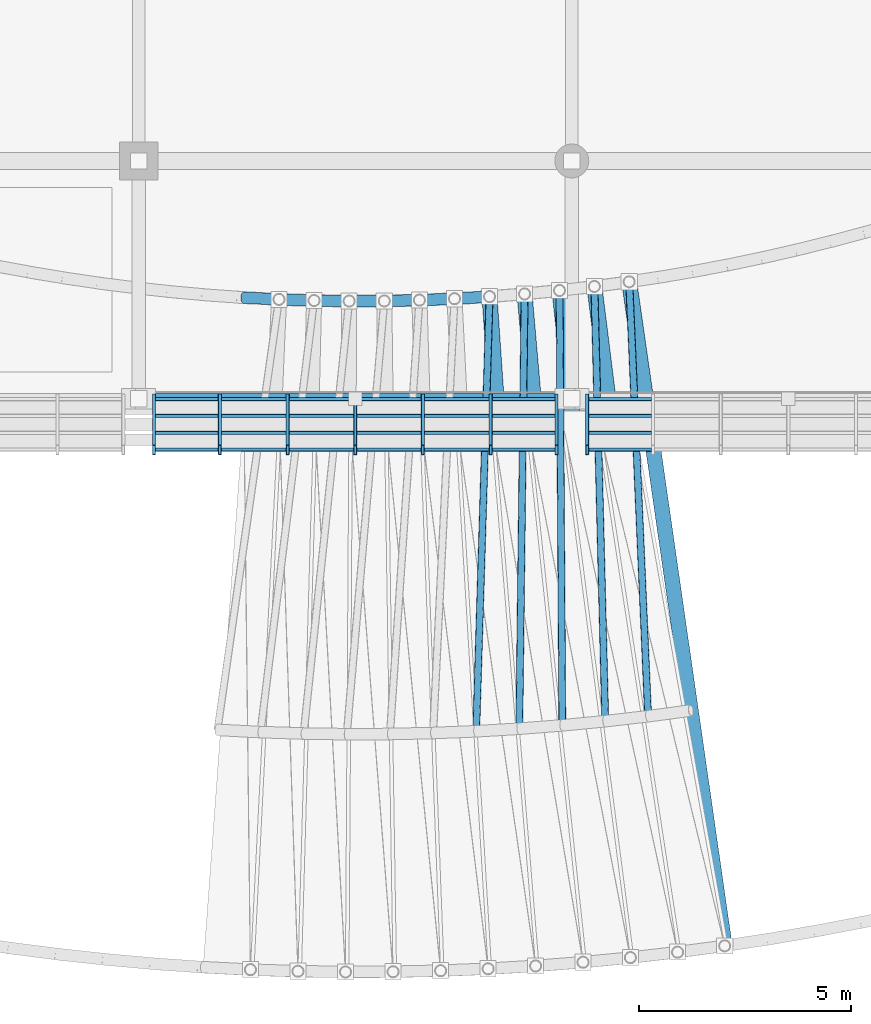
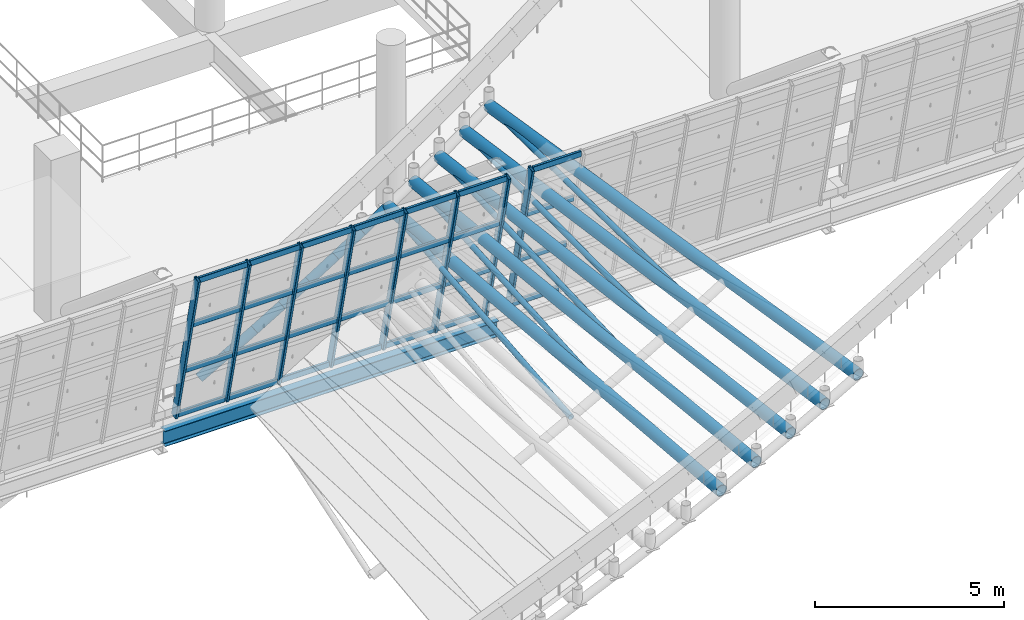
# One storey, part 45 of 175: 53 members, 1 beam, 2 elements without a shape of their own.
"""IFC4 building model written with IfcOpenShell, lengths in metres."""

from ifc_helpers import new_model, si_unit, direction, frame, origin, origin_2d, place, context, subcontext, project, spatial, hollow_rectangle, hollow_circle, i_section, extrude, material, material_profile, profile_set, type_object, element, aggregate, save


model = new_model("IFC4")

# Units and contexts
model_context = context("Model", 3, precision=1e-05, world=origin(), true_north=direction((0.0, 1.0)))
body_context = subcontext(model_context, "Body", "Model", "MODEL_VIEW")
ifc_project = project(units=[si_unit("LENGTHUNIT", "METRE"), si_unit("AREAUNIT", "SQUARE_METRE"), si_unit("VOLUMEUNIT", "CUBIC_METRE"), si_unit("PLANEANGLEUNIT", "RADIAN"), si_unit("MASSUNIT", "GRAM", prefix="KILO")], contexts=[model_context])

# Site, building, storey
site_placement = place(None, origin())
site = spatial("IfcSite", under=ifc_project, at=site_placement, CompositionType="ELEMENT")
building_placement = place(site_placement, origin())
building = spatial("IfcBuilding", under=site, at=building_placement, Name="Brelvane Convention Centre", CompositionType="ELEMENT")
storey_placement = place(building_placement, frame((0.0, 0.0, 5.39990234375)))
storey = spatial("IfcBuildingStorey", under=building, at=storey_placement, Name="L01", CompositionType="ELEMENT", Elevation=5.39990234375)

# Curtain wall, members
ifc_material_1 = material(Name="Anodised Aluminium Alloy 6063-T6", Category="aluminium")
curtain_wall_type = type_object("IfcCurtainWallType", Name="Curtain Wall CW-HULL-S", PredefinedType="USERDEFINED", material=ifc_material_1)
curtain_wall_1_placement = place(storey_placement, origin())
curtain_wall_1 = element("IfcCurtainWall", 1, at=curtain_wall_1_placement, inside=storey, type_object=curtain_wall_type, Name="Curtain Wall CW-HULL-S L01-HULL-S-L01-15", ObjectType="UNITISED", PredefinedType="USERDEFINED")
ifc_material_2 = material(Name="Anodised Aluminium Alloy 6063-T6", Category="aluminium")
ifc_material_profile_1 = material_profile(ifc_material_2, hollow_rectangle(XDim=0.080078125, YDim=0.239990234375, WallThickness=0.006103515625, InnerFilletRadius=0.006103515625, OuterFilletRadius=0.011962890625, at=origin_2d()), Name="ALU-M 240x80x6.0")
ifc_profile_set_1 = profile_set([ifc_material_profile_1], Name="Anodised Aluminium Alloy 6063-T6")
member_type_1 = type_object("IfcMemberType", Name="Curtain Mullion CW-M1", PredefinedType="MULLION", material=ifc_profile_set_1)
member_1_placement = place(storey_placement, frame((143.159912109375, 13.60009765625, 0.0), z_axis=(0.0, -0.228360162456, 0.973576723326), x_axis=(1.0, 0.0, 0.0)))
member_1 = element("IfcMember", 2, at=member_1_placement, type_object=member_type_1, Name="CW-HULL-S mullion 1", PredefinedType="MULLION", context=body_context, shape_type="SweptSolid", body=[
    extrude(hollow_rectangle(XDim=0.080078125, YDim=0.239990234375, WallThickness=0.006103515625, InnerFilletRadius=0.006103515625, OuterFilletRadius=0.011962890625, at=origin_2d()), origin(), (0.0, 0.0, 1.0), 5.2900390625),
])
member_2_placement = place(storey_placement, frame((144.71337890625, 13.60009765625, 0.0), z_axis=(0.0, -0.228360162456, 0.973576723326), x_axis=(1.0, 0.0, 0.0)))
member_2 = element("IfcMember", 3, at=member_2_placement, type_object=member_type_1, Name="CW-HULL-S mullion 2", PredefinedType="MULLION", context=body_context, shape_type="SweptSolid", body=[
    extrude(hollow_rectangle(XDim=0.080078125, YDim=0.239990234375, WallThickness=0.006103515625, InnerFilletRadius=0.006103515625, OuterFilletRadius=0.011962890625, at=origin_2d()), origin(), (0.0, 0.0, 1.0), 5.2900390625),
])
member_3_placement = place(storey_placement, frame((146.306640625, 13.60009765625, 0.0), z_axis=(0.0, -0.228360162456, 0.973576723326), x_axis=(1.0, 0.0, 0.0)))
member_3 = element("IfcMember", 4, at=member_3_placement, type_object=member_type_1, Name="CW-HULL-S mullion 3", PredefinedType="MULLION", context=body_context, shape_type="SweptSolid", body=[
    extrude(hollow_rectangle(XDim=0.080078125, YDim=0.239990234375, WallThickness=0.006103515625, InnerFilletRadius=0.006103515625, OuterFilletRadius=0.011962890625, at=origin_2d()), origin(), (0.0, 0.0, 1.0), 5.2900390625),
])
member_4_placement = place(storey_placement, frame((147.89990234375, 13.60009765625, 0.0), z_axis=(0.0, -0.228360162456, 0.973576723326), x_axis=(1.0, 0.0, 0.0)))
member_4 = element("IfcMember", 5, at=member_4_placement, type_object=member_type_1, Name="CW-HULL-S mullion 4", PredefinedType="MULLION", context=body_context, shape_type="SweptSolid", body=[
    extrude(hollow_rectangle(XDim=0.080078125, YDim=0.239990234375, WallThickness=0.006103515625, InnerFilletRadius=0.006103515625, OuterFilletRadius=0.011962890625, at=origin_2d()), origin(), (0.0, 0.0, 1.0), 5.2900390625),
])
member_5_placement = place(storey_placement, frame((149.493408203125, 13.60009765625, 0.0), z_axis=(0.0, -0.228360162456, 0.973576723326), x_axis=(1.0, 0.0, 0.0)))
member_5 = element("IfcMember", 6, at=member_5_placement, type_object=member_type_1, Name="CW-HULL-S mullion 5", PredefinedType="MULLION", context=body_context, shape_type="SweptSolid", body=[
    extrude(hollow_rectangle(XDim=0.080078125, YDim=0.239990234375, WallThickness=0.006103515625, InnerFilletRadius=0.006103515625, OuterFilletRadius=0.011962890625, at=origin_2d()), origin(), (0.0, 0.0, 1.0), 5.2900390625),
])
member_6_placement = place(storey_placement, frame((151.086669921875, 13.60009765625, 0.0), z_axis=(0.0, -0.228360162456, 0.973576723326), x_axis=(1.0, 0.0, 0.0)))
member_6 = element("IfcMember", 7, at=member_6_placement, type_object=member_type_1, Name="CW-HULL-S mullion 6", PredefinedType="MULLION", context=body_context, shape_type="SweptSolid", body=[
    extrude(hollow_rectangle(XDim=0.080078125, YDim=0.239990234375, WallThickness=0.006103515625, InnerFilletRadius=0.006103515625, OuterFilletRadius=0.011962890625, at=origin_2d()), origin(), (0.0, 0.0, 1.0), 5.2900390625),
])
member_7_placement = place(storey_placement, frame((152.639892578125, 13.60009765625, 0.0), z_axis=(0.0, -0.228360162456, 0.973576723326), x_axis=(1.0, 0.0, 0.0)))
member_7 = element("IfcMember", 8, at=member_7_placement, type_object=member_type_1, Name="CW-HULL-S mullion 7", PredefinedType="MULLION", context=body_context, shape_type="SweptSolid", body=[
    extrude(hollow_rectangle(XDim=0.080078125, YDim=0.239990234375, WallThickness=0.006103515625, InnerFilletRadius=0.006103515625, OuterFilletRadius=0.011962890625, at=origin_2d()), origin(), (0.0, 0.0, 1.0), 5.2900390625),
])

# Curtain wall, member
curtain_wall_2_placement = place(storey_placement, origin())
curtain_wall_2 = element("IfcCurtainWall", 9, at=curtain_wall_2_placement, inside=storey, type_object=curtain_wall_type, Name="Curtain Wall CW-HULL-S L01-HULL-S-L01-16", ObjectType="UNITISED", PredefinedType="USERDEFINED")
member_8_placement = place(storey_placement, frame((153.360107421875, 13.60009765625, 0.0), z_axis=(0.0, -0.228360162456, 0.973576723326), x_axis=(1.0, 0.0, 0.0)))
member_8 = element("IfcMember", 10, at=member_8_placement, type_object=member_type_1, Name="CW-HULL-S mullion 1", PredefinedType="MULLION", context=body_context, shape_type="SweptSolid", body=[
    extrude(hollow_rectangle(XDim=0.080078125, YDim=0.239990234375, WallThickness=0.006103515625, InnerFilletRadius=0.006103515625, OuterFilletRadius=0.011962890625, at=origin_2d()), origin(), (0.0, 0.0, 1.0), 5.2900390625),
])

# Member
ifc_material_3 = material(Name="Anodised Aluminium Alloy 6063-T6", Category="aluminium")
ifc_material_profile_2 = material_profile(ifc_material_3, hollow_rectangle(XDim=0.080078125, YDim=0.179931640625, WallThickness=0.0048828125, InnerFilletRadius=0.0048828125, OuterFilletRadius=0.010009765625, at=origin_2d()), Name="ALU-T 180x80x5.0")
ifc_profile_set_2 = profile_set([ifc_material_profile_2], Name="Anodised Aluminium Alloy 6063-T6")
member_type_2 = type_object("IfcMemberType", Name="Curtain Transom CW-T1", PredefinedType="USERDEFINED", material=ifc_profile_set_2)
member_9_placement = place(storey_placement, frame((143.199951171875, 13.590576171875, 0.0400390625), z_axis=(1.0, 0.0, 0.0), x_axis=(0.0, 1.0, 0.0)))
member_9 = element("IfcMember", 11, at=member_9_placement, type_object=member_type_2, Name="CW-HULL-S transom 1.1", ObjectType="TRANSOM", PredefinedType="USERDEFINED", context=body_context, shape_type="SweptSolid", body=[
    extrude(hollow_rectangle(XDim=0.080078125, YDim=0.179931640625, WallThickness=0.0048828125, InnerFilletRadius=0.0048828125, OuterFilletRadius=0.010009765625, at=origin_2d()), origin(), (0.0, 0.0, 1.0), 1.473388671875),
])

member_10_placement = place(storey_placement, frame((143.199951171875, 13.197265625, 1.716796875), z_axis=(1.0, 0.0, 0.0), x_axis=(0.0, 1.0, 0.0)))
member_10 = element("IfcMember", 12, at=member_10_placement, type_object=member_type_2, Name="CW-HULL-S transom 1.2", ObjectType="TRANSOM", PredefinedType="USERDEFINED", context=body_context, shape_type="SweptSolid", body=[
    extrude(hollow_rectangle(XDim=0.080078125, YDim=0.179931640625, WallThickness=0.0048828125, InnerFilletRadius=0.0048828125, OuterFilletRadius=0.010009765625, at=origin_2d()), origin(), (0.0, 0.0, 1.0), 1.473388671875),
])

member_11_placement = place(storey_placement, frame((143.199951171875, 12.794677734375, 3.433349609375), z_axis=(1.0, 0.0, 0.0), x_axis=(0.0, 1.0, 0.0)))
member_11 = element("IfcMember", 13, at=member_11_placement, type_object=member_type_2, Name="CW-HULL-S transom 1.3", ObjectType="TRANSOM", PredefinedType="USERDEFINED", context=body_context, shape_type="SweptSolid", body=[
    extrude(hollow_rectangle(XDim=0.080078125, YDim=0.179931640625, WallThickness=0.0048828125, InnerFilletRadius=0.0048828125, OuterFilletRadius=0.010009765625, at=origin_2d()), origin(), (0.0, 0.0, 1.0), 1.473388671875),
])

member_12_placement = place(storey_placement, frame((143.199951171875, 12.4013671875, 5.110107421875), z_axis=(1.0, 0.0, 0.0), x_axis=(0.0, 1.0, 0.0)))
member_12 = element("IfcMember", 14, at=member_12_placement, type_object=member_type_2, Name="CW-HULL-S transom 1.4", ObjectType="TRANSOM", PredefinedType="USERDEFINED", context=body_context, shape_type="SweptSolid", body=[
    extrude(hollow_rectangle(XDim=0.080078125, YDim=0.179931640625, WallThickness=0.0048828125, InnerFilletRadius=0.0048828125, OuterFilletRadius=0.010009765625, at=origin_2d()), origin(), (0.0, 0.0, 1.0), 1.473388671875),
])

member_13_placement = place(storey_placement, frame((144.75341796875, 13.590576171875, 0.0400390625), z_axis=(1.0, 0.0, 0.0), x_axis=(0.0, 1.0, 0.0)))
member_13 = element("IfcMember", 15, at=member_13_placement, type_object=member_type_2, Name="CW-HULL-S transom 2.1", ObjectType="TRANSOM", PredefinedType="USERDEFINED", context=body_context, shape_type="SweptSolid", body=[
    extrude(hollow_rectangle(XDim=0.080078125, YDim=0.179931640625, WallThickness=0.0048828125, InnerFilletRadius=0.0048828125, OuterFilletRadius=0.010009765625, at=origin_2d()), origin(), (0.0, 0.0, 1.0), 1.51318359375),
])

member_14_placement = place(storey_placement, frame((144.75341796875, 13.197265625, 1.716796875), z_axis=(1.0, 0.0, 0.0), x_axis=(0.0, 1.0, 0.0)))
member_14 = element("IfcMember", 16, at=member_14_placement, type_object=member_type_2, Name="CW-HULL-S transom 2.2", ObjectType="TRANSOM", PredefinedType="USERDEFINED", context=body_context, shape_type="SweptSolid", body=[
    extrude(hollow_rectangle(XDim=0.080078125, YDim=0.179931640625, WallThickness=0.0048828125, InnerFilletRadius=0.0048828125, OuterFilletRadius=0.010009765625, at=origin_2d()), origin(), (0.0, 0.0, 1.0), 1.51318359375),
])

member_15_placement = place(storey_placement, frame((144.75341796875, 12.794677734375, 3.433349609375), z_axis=(1.0, 0.0, 0.0), x_axis=(0.0, 1.0, 0.0)))
member_15 = element("IfcMember", 17, at=member_15_placement, type_object=member_type_2, Name="CW-HULL-S transom 2.3", ObjectType="TRANSOM", PredefinedType="USERDEFINED", context=body_context, shape_type="SweptSolid", body=[
    extrude(hollow_rectangle(XDim=0.080078125, YDim=0.179931640625, WallThickness=0.0048828125, InnerFilletRadius=0.0048828125, OuterFilletRadius=0.010009765625, at=origin_2d()), origin(), (0.0, 0.0, 1.0), 1.51318359375),
])

member_16_placement = place(storey_placement, frame((144.75341796875, 12.4013671875, 5.110107421875), z_axis=(1.0, 0.0, 0.0), x_axis=(0.0, 1.0, 0.0)))
member_16 = element("IfcMember", 18, at=member_16_placement, type_object=member_type_2, Name="CW-HULL-S transom 2.4", ObjectType="TRANSOM", PredefinedType="USERDEFINED", context=body_context, shape_type="SweptSolid", body=[
    extrude(hollow_rectangle(XDim=0.080078125, YDim=0.179931640625, WallThickness=0.0048828125, InnerFilletRadius=0.0048828125, OuterFilletRadius=0.010009765625, at=origin_2d()), origin(), (0.0, 0.0, 1.0), 1.51318359375),
])

member_17_placement = place(storey_placement, frame((146.3466796875, 13.590576171875, 0.0400390625), z_axis=(1.0, 0.0, 0.0), x_axis=(0.0, 1.0, 0.0)))
member_17 = element("IfcMember", 19, at=member_17_placement, type_object=member_type_2, Name="CW-HULL-S transom 3.1", ObjectType="TRANSOM", PredefinedType="USERDEFINED", context=body_context, shape_type="SweptSolid", body=[
    extrude(hollow_rectangle(XDim=0.080078125, YDim=0.179931640625, WallThickness=0.0048828125, InnerFilletRadius=0.0048828125, OuterFilletRadius=0.010009765625, at=origin_2d()), origin(), (0.0, 0.0, 1.0), 1.513427734375),
])

member_18_placement = place(storey_placement, frame((146.3466796875, 13.197265625, 1.716796875), z_axis=(1.0, 0.0, 0.0), x_axis=(0.0, 1.0, 0.0)))
member_18 = element("IfcMember", 20, at=member_18_placement, type_object=member_type_2, Name="CW-HULL-S transom 3.2", ObjectType="TRANSOM", PredefinedType="USERDEFINED", context=body_context, shape_type="SweptSolid", body=[
    extrude(hollow_rectangle(XDim=0.080078125, YDim=0.179931640625, WallThickness=0.0048828125, InnerFilletRadius=0.0048828125, OuterFilletRadius=0.010009765625, at=origin_2d()), origin(), (0.0, 0.0, 1.0), 1.513427734375),
])

member_19_placement = place(storey_placement, frame((146.3466796875, 12.794677734375, 3.433349609375), z_axis=(1.0, 0.0, 0.0), x_axis=(0.0, 1.0, 0.0)))
member_19 = element("IfcMember", 21, at=member_19_placement, type_object=member_type_2, Name="CW-HULL-S transom 3.3", ObjectType="TRANSOM", PredefinedType="USERDEFINED", context=body_context, shape_type="SweptSolid", body=[
    extrude(hollow_rectangle(XDim=0.080078125, YDim=0.179931640625, WallThickness=0.0048828125, InnerFilletRadius=0.0048828125, OuterFilletRadius=0.010009765625, at=origin_2d()), origin(), (0.0, 0.0, 1.0), 1.513427734375),
])

member_20_placement = place(storey_placement, frame((146.3466796875, 12.4013671875, 5.110107421875), z_axis=(1.0, 0.0, 0.0), x_axis=(0.0, 1.0, 0.0)))
member_20 = element("IfcMember", 22, at=member_20_placement, type_object=member_type_2, Name="CW-HULL-S transom 3.4", ObjectType="TRANSOM", PredefinedType="USERDEFINED", context=body_context, shape_type="SweptSolid", body=[
    extrude(hollow_rectangle(XDim=0.080078125, YDim=0.179931640625, WallThickness=0.0048828125, InnerFilletRadius=0.0048828125, OuterFilletRadius=0.010009765625, at=origin_2d()), origin(), (0.0, 0.0, 1.0), 1.513427734375),
])

member_21_placement = place(storey_placement, frame((147.93994140625, 13.590576171875, 0.0400390625), z_axis=(1.0, 0.0, 0.0), x_axis=(0.0, 1.0, 0.0)))
member_21 = element("IfcMember", 23, at=member_21_placement, type_object=member_type_2, Name="CW-HULL-S transom 4.1", ObjectType="TRANSOM", PredefinedType="USERDEFINED", context=body_context, shape_type="SweptSolid", body=[
    extrude(hollow_rectangle(XDim=0.080078125, YDim=0.179931640625, WallThickness=0.0048828125, InnerFilletRadius=0.0048828125, OuterFilletRadius=0.010009765625, at=origin_2d()), origin(), (0.0, 0.0, 1.0), 1.513427734375),
])

member_22_placement = place(storey_placement, frame((147.93994140625, 13.197265625, 1.716796875), z_axis=(1.0, 0.0, 0.0), x_axis=(0.0, 1.0, 0.0)))
member_22 = element("IfcMember", 24, at=member_22_placement, type_object=member_type_2, Name="CW-HULL-S transom 4.2", ObjectType="TRANSOM", PredefinedType="USERDEFINED", context=body_context, shape_type="SweptSolid", body=[
    extrude(hollow_rectangle(XDim=0.080078125, YDim=0.179931640625, WallThickness=0.0048828125, InnerFilletRadius=0.0048828125, OuterFilletRadius=0.010009765625, at=origin_2d()), origin(), (0.0, 0.0, 1.0), 1.513427734375),
])

member_23_placement = place(storey_placement, frame((147.93994140625, 12.794677734375, 3.433349609375), z_axis=(1.0, 0.0, 0.0), x_axis=(0.0, 1.0, 0.0)))
member_23 = element("IfcMember", 25, at=member_23_placement, type_object=member_type_2, Name="CW-HULL-S transom 4.3", ObjectType="TRANSOM", PredefinedType="USERDEFINED", context=body_context, shape_type="SweptSolid", body=[
    extrude(hollow_rectangle(XDim=0.080078125, YDim=0.179931640625, WallThickness=0.0048828125, InnerFilletRadius=0.0048828125, OuterFilletRadius=0.010009765625, at=origin_2d()), origin(), (0.0, 0.0, 1.0), 1.513427734375),
])

member_24_placement = place(storey_placement, frame((147.93994140625, 12.4013671875, 5.110107421875), z_axis=(1.0, 0.0, 0.0), x_axis=(0.0, 1.0, 0.0)))
member_24 = element("IfcMember", 26, at=member_24_placement, type_object=member_type_2, Name="CW-HULL-S transom 4.4", ObjectType="TRANSOM", PredefinedType="USERDEFINED", context=body_context, shape_type="SweptSolid", body=[
    extrude(hollow_rectangle(XDim=0.080078125, YDim=0.179931640625, WallThickness=0.0048828125, InnerFilletRadius=0.0048828125, OuterFilletRadius=0.010009765625, at=origin_2d()), origin(), (0.0, 0.0, 1.0), 1.513427734375),
])

member_25_placement = place(storey_placement, frame((149.533447265625, 13.590576171875, 0.0400390625), z_axis=(1.0, 0.0, 0.0), x_axis=(0.0, 1.0, 0.0)))
member_25 = element("IfcMember", 27, at=member_25_placement, type_object=member_type_2, Name="CW-HULL-S transom 5.1", ObjectType="TRANSOM", PredefinedType="USERDEFINED", context=body_context, shape_type="SweptSolid", body=[
    extrude(hollow_rectangle(XDim=0.080078125, YDim=0.179931640625, WallThickness=0.0048828125, InnerFilletRadius=0.0048828125, OuterFilletRadius=0.010009765625, at=origin_2d()), origin(), (0.0, 0.0, 1.0), 1.51318359375),
])

member_26_placement = place(storey_placement, frame((149.533447265625, 13.197265625, 1.716796875), z_axis=(1.0, 0.0, 0.0), x_axis=(0.0, 1.0, 0.0)))
member_26 = element("IfcMember", 28, at=member_26_placement, type_object=member_type_2, Name="CW-HULL-S transom 5.2", ObjectType="TRANSOM", PredefinedType="USERDEFINED", context=body_context, shape_type="SweptSolid", body=[
    extrude(hollow_rectangle(XDim=0.080078125, YDim=0.179931640625, WallThickness=0.0048828125, InnerFilletRadius=0.0048828125, OuterFilletRadius=0.010009765625, at=origin_2d()), origin(), (0.0, 0.0, 1.0), 1.51318359375),
])

member_27_placement = place(storey_placement, frame((149.533447265625, 12.794677734375, 3.433349609375), z_axis=(1.0, 0.0, 0.0), x_axis=(0.0, 1.0, 0.0)))
member_27 = element("IfcMember", 29, at=member_27_placement, type_object=member_type_2, Name="CW-HULL-S transom 5.3", ObjectType="TRANSOM", PredefinedType="USERDEFINED", context=body_context, shape_type="SweptSolid", body=[
    extrude(hollow_rectangle(XDim=0.080078125, YDim=0.179931640625, WallThickness=0.0048828125, InnerFilletRadius=0.0048828125, OuterFilletRadius=0.010009765625, at=origin_2d()), origin(), (0.0, 0.0, 1.0), 1.51318359375),
])

member_28_placement = place(storey_placement, frame((149.533447265625, 12.4013671875, 5.110107421875), z_axis=(1.0, 0.0, 0.0), x_axis=(0.0, 1.0, 0.0)))
member_28 = element("IfcMember", 30, at=member_28_placement, type_object=member_type_2, Name="CW-HULL-S transom 5.4", ObjectType="TRANSOM", PredefinedType="USERDEFINED", context=body_context, shape_type="SweptSolid", body=[
    extrude(hollow_rectangle(XDim=0.080078125, YDim=0.179931640625, WallThickness=0.0048828125, InnerFilletRadius=0.0048828125, OuterFilletRadius=0.010009765625, at=origin_2d()), origin(), (0.0, 0.0, 1.0), 1.51318359375),
])

member_29_placement = place(storey_placement, frame((151.126708984375, 13.590576171875, 0.0400390625), z_axis=(1.0, 0.0, 0.0), x_axis=(0.0, 1.0, 0.0)))
member_29 = element("IfcMember", 31, at=member_29_placement, type_object=member_type_2, Name="CW-HULL-S transom 6.1", ObjectType="TRANSOM", PredefinedType="USERDEFINED", context=body_context, shape_type="SweptSolid", body=[
    extrude(hollow_rectangle(XDim=0.080078125, YDim=0.179931640625, WallThickness=0.0048828125, InnerFilletRadius=0.0048828125, OuterFilletRadius=0.010009765625, at=origin_2d()), origin(), (0.0, 0.0, 1.0), 1.473388671875),
])

member_30_placement = place(storey_placement, frame((151.126708984375, 13.197265625, 1.716796875), z_axis=(1.0, 0.0, 0.0), x_axis=(0.0, 1.0, 0.0)))
member_30 = element("IfcMember", 32, at=member_30_placement, type_object=member_type_2, Name="CW-HULL-S transom 6.2", ObjectType="TRANSOM", PredefinedType="USERDEFINED", context=body_context, shape_type="SweptSolid", body=[
    extrude(hollow_rectangle(XDim=0.080078125, YDim=0.179931640625, WallThickness=0.0048828125, InnerFilletRadius=0.0048828125, OuterFilletRadius=0.010009765625, at=origin_2d()), origin(), (0.0, 0.0, 1.0), 1.473388671875),
])

member_31_placement = place(storey_placement, frame((151.126708984375, 12.794677734375, 3.433349609375), z_axis=(1.0, 0.0, 0.0), x_axis=(0.0, 1.0, 0.0)))
member_31 = element("IfcMember", 33, at=member_31_placement, type_object=member_type_2, Name="CW-HULL-S transom 6.3", ObjectType="TRANSOM", PredefinedType="USERDEFINED", context=body_context, shape_type="SweptSolid", body=[
    extrude(hollow_rectangle(XDim=0.080078125, YDim=0.179931640625, WallThickness=0.0048828125, InnerFilletRadius=0.0048828125, OuterFilletRadius=0.010009765625, at=origin_2d()), origin(), (0.0, 0.0, 1.0), 1.473388671875),
])

member_32_placement = place(storey_placement, frame((151.126708984375, 12.4013671875, 5.110107421875), z_axis=(1.0, 0.0, 0.0), x_axis=(0.0, 1.0, 0.0)))
member_32 = element("IfcMember", 34, at=member_32_placement, type_object=member_type_2, Name="CW-HULL-S transom 6.4", ObjectType="TRANSOM", PredefinedType="USERDEFINED", context=body_context, shape_type="SweptSolid", body=[
    extrude(hollow_rectangle(XDim=0.080078125, YDim=0.179931640625, WallThickness=0.0048828125, InnerFilletRadius=0.0048828125, OuterFilletRadius=0.010009765625, at=origin_2d()), origin(), (0.0, 0.0, 1.0), 1.473388671875),
])

aggregate(curtain_wall_1, [member_1, member_2, member_3, member_4, member_5, member_6, member_7, member_9, member_10, member_11, member_12, member_13, member_14, member_15, member_16, member_17, member_18, member_19, member_20, member_21, member_22, member_23, member_24, member_25, member_26, member_27, member_28, member_29, member_30, member_31, member_32])

member_33_placement = place(storey_placement, frame((153.39990234375, 13.590576171875, 0.0400390625), z_axis=(1.0, 0.0, 0.0), x_axis=(0.0, 1.0, 0.0)))
member_33 = element("IfcMember", 35, at=member_33_placement, type_object=member_type_2, Name="CW-HULL-S transom 1.1", ObjectType="TRANSOM", PredefinedType="USERDEFINED", context=body_context, shape_type="SweptSolid", body=[
    extrude(hollow_rectangle(XDim=0.080078125, YDim=0.179931640625, WallThickness=0.0048828125, InnerFilletRadius=0.0048828125, OuterFilletRadius=0.010009765625, at=origin_2d()), origin(), (0.0, 0.0, 1.0), 1.473388671875),
])

member_34_placement = place(storey_placement, frame((153.39990234375, 13.197265625, 1.716796875), z_axis=(1.0, 0.0, 0.0), x_axis=(0.0, 1.0, 0.0)))
member_34 = element("IfcMember", 36, at=member_34_placement, type_object=member_type_2, Name="CW-HULL-S transom 1.2", ObjectType="TRANSOM", PredefinedType="USERDEFINED", context=body_context, shape_type="SweptSolid", body=[
    extrude(hollow_rectangle(XDim=0.080078125, YDim=0.179931640625, WallThickness=0.0048828125, InnerFilletRadius=0.0048828125, OuterFilletRadius=0.010009765625, at=origin_2d()), origin(), (0.0, 0.0, 1.0), 1.473388671875),
])

member_35_placement = place(storey_placement, frame((153.39990234375, 12.794677734375, 3.433349609375), z_axis=(1.0, 0.0, 0.0), x_axis=(0.0, 1.0, 0.0)))
member_35 = element("IfcMember", 37, at=member_35_placement, type_object=member_type_2, Name="CW-HULL-S transom 1.3", ObjectType="TRANSOM", PredefinedType="USERDEFINED", context=body_context, shape_type="SweptSolid", body=[
    extrude(hollow_rectangle(XDim=0.080078125, YDim=0.179931640625, WallThickness=0.0048828125, InnerFilletRadius=0.0048828125, OuterFilletRadius=0.010009765625, at=origin_2d()), origin(), (0.0, 0.0, 1.0), 1.473388671875),
])

member_36_placement = place(storey_placement, frame((153.39990234375, 12.4013671875, 5.110107421875), z_axis=(1.0, 0.0, 0.0), x_axis=(0.0, 1.0, 0.0)))
member_36 = element("IfcMember", 38, at=member_36_placement, type_object=member_type_2, Name="CW-HULL-S transom 1.4", ObjectType="TRANSOM", PredefinedType="USERDEFINED", context=body_context, shape_type="SweptSolid", body=[
    extrude(hollow_rectangle(XDim=0.080078125, YDim=0.179931640625, WallThickness=0.0048828125, InnerFilletRadius=0.0048828125, OuterFilletRadius=0.010009765625, at=origin_2d()), origin(), (0.0, 0.0, 1.0), 1.473388671875),
])

aggregate(curtain_wall_2, [member_8, member_33, member_34, member_35, member_36])

# Members
ifc_material_4 = material(Name="Steel E350 (350 MPa)", Category="steel")
ifc_material_profile_3 = material_profile(ifc_material_4, hollow_circle(Radius=0.084228515625, WallThickness=0.008056640625, at=origin_2d()), Name="CHS 168.3x8.0")
ifc_profile_set_3 = profile_set([ifc_material_profile_3], Name="Steel E350 (350 MPa)")
member_type_3 = type_object("IfcMemberType", Name="Steel Brace SF-DG3 (CHS 168.3x8.0)", PredefinedType="BRACE", material=ifc_profile_set_3)
member_37_placement = place(storey_placement, frame((154.3515625, 16.3544921875, 4.439697265625), z_axis=(0.043462116239, -0.998009263129, -0.045700712911), x_axis=(0.999053097191, 0.04350757397, 0.0)))
element("IfcMember", 39, at=member_37_placement, inside=storey, type_object=member_type_3, Name="Boulevard Canopy Space-Frame Brace 13", PredefinedType="BRACE", context=body_context, shape_type="SweptSolid", body=[
    extrude(hollow_circle(Radius=0.084228515625, WallThickness=0.008056640625, at=origin_2d()), origin(), (0.0, 0.0, 1.0), 10.251708984375),
])
member_38_placement = place(storey_placement, frame((153.531982421875, 16.244384765625, 3.97119140625), z_axis=(0.02493345871, -0.998624314751, -0.046128089323), x_axis=(0.999688449974, 0.024960027832, 0.0)))
element("IfcMember", 40, at=member_38_placement, inside=storey, type_object=member_type_3, Name="Boulevard Canopy Space-Frame Brace 14", PredefinedType="BRACE", context=body_context, shape_type="SweptSolid", body=[
    extrude(hollow_circle(Radius=0.084228515625, WallThickness=0.008056640625, at=origin_2d()), origin(), (0.0, 0.0, 1.0), 10.251953125),
])
member_39_placement = place(storey_placement, frame((152.71044921875, 16.1494140625, 3.498291015625), z_axis=(0.006405762237, -0.998894083823, -0.046578702361), x_axis=(0.999979438284, 0.006412722457, 0.0)))
element("IfcMember", 41, at=member_39_placement, inside=storey, type_object=member_type_3, Name="Boulevard Canopy Space-Frame Brace 15", PredefinedType="BRACE", context=body_context, shape_type="SweptSolid", body=[
    extrude(hollow_circle(Radius=0.084228515625, WallThickness=0.008056640625, at=origin_2d()), origin(), (0.0, 0.0, 1.0), 10.252197265625),
])
member_40_placement = place(storey_placement, frame((151.88720703125, 16.069580078125, 3.020751953125), z_axis=(-0.012120920552, -0.998821005213, -0.047007263596), x_axis=(0.999926376253, -0.012134334482, 0.0)))
element("IfcMember", 42, at=member_40_placement, inside=storey, type_object=member_type_3, Name="Boulevard Canopy Space-Frame Brace 16", PredefinedType="BRACE", context=body_context, shape_type="SweptSolid", body=[
    extrude(hollow_circle(Radius=0.084228515625, WallThickness=0.008056640625, at=origin_2d()), origin(), (0.0, 0.0, 1.0), 10.25244140625),
])
member_41_placement = place(storey_placement, frame((151.0625, 16.00537109375, 2.538818359375), z_axis=(-0.030622701695, -0.998404849657, -0.047434231552), x_axis=(0.99952995725, -0.030657210576, 0.0)))
element("IfcMember", 43, at=member_41_placement, inside=storey, type_object=member_type_3, Name="Boulevard Canopy Space-Frame Brace 17", PredefinedType="BRACE", context=body_context, shape_type="SweptSolid", body=[
    extrude(hollow_circle(Radius=0.084228515625, WallThickness=0.008056640625, at=origin_2d()), origin(), (0.0, 0.0, 1.0), 10.252685546875),
])
ifc_material_5 = material(Name="Steel E450 (450 MPa)", Category="steel")
ifc_material_profile_4 = material_profile(ifc_material_5, hollow_circle(Radius=0.136474609375, WallThickness=0.012451171875, at=origin_2d()), Name="CHS 273.0x12.5")
ifc_profile_set_4 = profile_set([ifc_material_profile_4], Name="Steel E450 (450 MPa)")
member_type_4 = type_object("IfcMemberType", Name="Steel Chord CN-CH1 (CHS 273.0x12.5)", PredefinedType="CHORD", material=ifc_profile_set_4)
member_42_placement = place(storey_placement, frame((151.0625, 16.00537109375, 2.538818359375), z_axis=(-0.860441036808, -0.051407598177, -0.506950176079), x_axis=(0.059639289753, -0.998219993347, 0.0)))
element("IfcMember", 44, at=member_42_placement, inside=storey, type_object=member_type_4, Name="Boulevard Canopy Arc Chord IN-17", PredefinedType="CHORD", context=body_context, shape_type="SweptSolid", body=[
    extrude(hollow_circle(Radius=0.136474609375, WallThickness=0.012451171875, at=origin_2d()), origin(), (0.0, 0.0, 1.0), 0.959228515625),
])
member_43_placement = place(storey_placement, frame((150.237060546875, 15.9560546875, 2.052490234375), z_axis=(-0.859086890958, -0.035023335584, -0.510630081125), x_axis=(0.040734257656, -0.99917001569, 0.0)))
element("IfcMember", 45, at=member_43_placement, inside=storey, type_object=member_type_4, Name="Boulevard Canopy Arc Chord IN-18", PredefinedType="CHORD", context=body_context, shape_type="SweptSolid", body=[
    extrude(hollow_circle(Radius=0.136474609375, WallThickness=0.012451171875, at=origin_2d()), origin(), (0.0, 0.0, 1.0), 0.9619140625),
])
member_44_placement = place(storey_placement, frame((149.41064453125, 15.92236328125, 1.561279296875), z_axis=(-0.857691402438, -0.019245511245, -0.513804504147), x_axis=(0.02243308956, -0.999748346582, 0.0)))
element("IfcMember", 46, at=member_44_placement, inside=storey, type_object=member_type_4, Name="Boulevard Canopy Arc Chord IN-19", PredefinedType="CHORD", context=body_context, shape_type="SweptSolid", body=[
    extrude(hollow_circle(Radius=0.136474609375, WallThickness=0.012451171875, at=origin_2d()), origin(), (0.0, 0.0, 1.0), 0.964111328125),
])
member_45_placement = place(storey_placement, frame((148.583740234375, 15.90380859375, 1.06591796875), z_axis=(-0.855901608084, -0.003284156111, -0.517128273833), x_axis=(0.003837043772, -0.99999263852, 0.0)))
element("IfcMember", 47, at=member_45_placement, inside=storey, type_object=member_type_4, Name="Boulevard Canopy Arc Chord IN-20", PredefinedType="CHORD", context=body_context, shape_type="SweptSolid", body=[
    extrude(hollow_circle(Radius=0.136474609375, WallThickness=0.012451171875, at=origin_2d()), origin(), (0.0, 0.0, 1.0), 0.96630859375),
])
member_46_placement = place(storey_placement, frame((147.756591796875, 15.900634765625, 0.566162109375), z_axis=(-0.853643664473, 0.012601766526, -0.520704992856), x_axis=(-0.014760718256, -0.999891054664, 0.0)))
element("IfcMember", 48, at=member_46_placement, inside=storey, type_object=member_type_4, Name="Boulevard Canopy Arc Chord IN-21", PredefinedType="CHORD", context=body_context, shape_type="SweptSolid", body=[
    extrude(hollow_circle(Radius=0.136474609375, WallThickness=0.012451171875, at=origin_2d()), origin(), (0.0, 0.0, 1.0), 0.96875),
])
member_47_placement = place(storey_placement, frame((146.9296875, 15.912841796875, 0.061767578125), z_axis=(-0.851098609618, 0.028411859051, -0.524236514344), x_axis=(-0.033363984993, -0.999443267277, 0.0)))
element("IfcMember", 49, at=member_47_placement, inside=storey, type_object=member_type_4, Name="Boulevard Canopy Arc Chord IN-22", PredefinedType="CHORD", context=body_context, shape_type="SweptSolid", body=[
    extrude(hollow_circle(Radius=0.136474609375, WallThickness=0.012451171875, at=origin_2d()), origin(), (0.0, 0.0, 1.0), 0.970947265625),
])
member_48_placement = place(storey_placement, frame((146.103271484375, 15.9404296875, -0.447265625), z_axis=(-0.848531071713, 0.043880891711, -0.527322944389), x_axis=(-0.051644936236, -0.998665509849, 0.0)))
element("IfcMember", 50, at=member_48_placement, inside=storey, type_object=member_type_4, Name="Boulevard Canopy Arc Chord IN-23", PredefinedType="CHORD", context=body_context, shape_type="SweptSolid", body=[
    extrude(hollow_circle(Radius=0.136474609375, WallThickness=0.012451171875, at=origin_2d()), origin(), (0.0, 0.0, 1.0), 0.9736328125),
])
ifc_material_6 = material(Name="Steel E450 (450 MPa)", Category="steel")
ifc_material_profile_5 = material_profile(ifc_material_6, hollow_circle(Radius=0.177734375, WallThickness=0.01611328125, at=origin_2d()), Name="CHS 355.6x16.0")
ifc_profile_set_5 = profile_set([ifc_material_profile_5], Name="Steel E450 (450 MPa)")
member_type_5 = type_object("IfcMemberType", Name="Steel Rafter CN-RF1 (CHS 355.6x16.0)", PredefinedType="RAFTER", material=ifc_profile_set_5)
for number, where, z_axis, x_axis, name in (
    (51, (154.3515625, 16.3544921875, 4.439697265625), (0.14242071695, -0.989806213046, 0.0), (0.989806213046, 0.14242071695, 0.0), "Boulevard Canopy Radial Rafter R-13"),
    (52, (153.531982421875, 16.244384765625, 3.97119140625), (0.12403283281, -0.992278114434, 0.0), (0.992278114434, 0.12403283281, 0.0), "Boulevard Canopy Radial Rafter R-14"),
    (53, (152.71044921875, 16.1494140625, 3.498291015625), (0.105598478474, -0.994408850194, 0.0), (0.994408850194, 0.105598478474, 0.0), "Boulevard Canopy Radial Rafter R-15"),
):
    element("IfcMember", number, at=place(storey_placement, frame(where, z_axis=z_axis, x_axis=x_axis)), inside=storey, type_object=member_type_5, Name=name, PredefinedType="RAFTER", context=body_context, shape_type="SweptSolid", body=[
        extrude(hollow_circle(Radius=0.177734375, WallThickness=0.01611328125, at=origin_2d()), origin(), (0.0, 0.0, 1.0), 15.800048828125),
    ])
member_49_placement = place(storey_placement, frame((151.88720703125, 16.069580078125, 3.020751953125), z_axis=(0.087149698766, -0.996195226853, 0.0), x_axis=(0.996195226853, 0.087149698766, 0.0)))
element("IfcMember", 54, at=member_49_placement, inside=storey, type_object=member_type_5, Name="Boulevard Canopy Radial Rafter R-16", PredefinedType="RAFTER", context=body_context, shape_type="SweptSolid", body=[
    extrude(hollow_circle(Radius=0.177734375, WallThickness=0.01611328125, at=origin_2d()), origin(), (0.0, 0.0, 1.0), 15.7998046875),
])
member_50_placement = place(storey_placement, frame((151.0625, 16.00537109375, 2.538818359375), z_axis=(0.068683833572, -0.997638477108, 0.0), x_axis=(0.997638477108, 0.068683833572, 0.0)))
element("IfcMember", 55, at=member_50_placement, inside=storey, type_object=member_type_5, Name="Boulevard Canopy Radial Rafter R-17", PredefinedType="RAFTER", context=body_context, shape_type="SweptSolid", body=[
    extrude(hollow_circle(Radius=0.177734375, WallThickness=0.01611328125, at=origin_2d()), origin(), (0.0, 0.0, 1.0), 15.800048828125),
])

# Beam
ifc_material_7 = material(Name="Steel E350 (350 MPa)", Category="steel")
ifc_material_profile_6 = material_profile(ifc_material_7, i_section(OverallWidth=0.25, OverallDepth=0.5, WebThickness=0.010009765625, FlangeThickness=0.0146484375, FilletRadius=0.01611328125, at=origin_2d()), Name="ISWB 500")
ifc_profile_set_6 = profile_set([ifc_material_profile_6], Name="Steel E350 (350 MPa)")
beam_type = type_object("IfcBeamType", Name="Steel Spandrel SP-ST1 (ISWB 500)", PredefinedType="SPANDREL", material=ifc_profile_set_6)
beam_placement = place(storey_placement, frame((142.800048828125, 13.60009765625, -0.5498046875), z_axis=(1.0, 0.0, 0.0), x_axis=(0.0, 1.0, 0.0)))
element("IfcBeam", 56, at=beam_placement, inside=storey, type_object=beam_type, Name="L01 Hull Overhang Edge Spandrel 15", PredefinedType="SPANDREL", context=body_context, shape_type="SweptSolid", body=[
    extrude(i_section(OverallWidth=0.25, OverallDepth=0.5, WebThickness=0.010009765625, FlangeThickness=0.0146484375, FilletRadius=0.01611328125, at=origin_2d()), origin(), (0.0, 0.0, 1.0), 10.199951171875),
])

save(model, "model.ifc")
